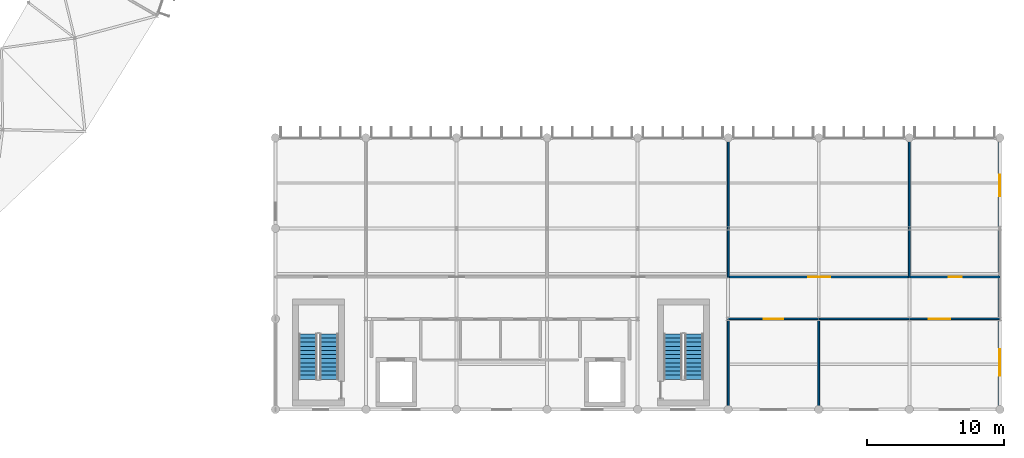
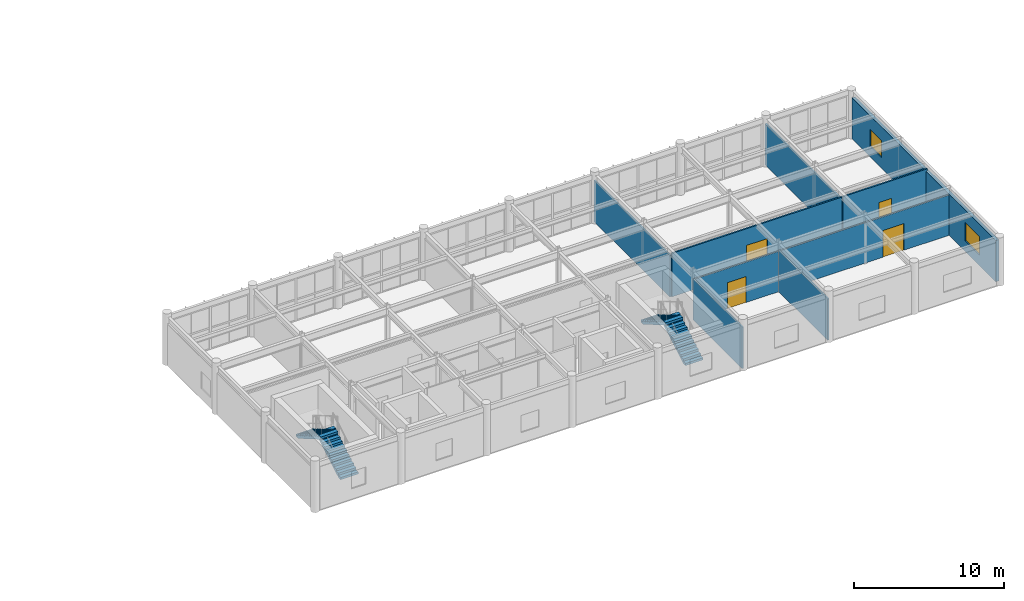
# One storey, part 60 of 66: 9 walls, 4 doors, 4 stair flights, 2 windows, 6 openings, 2 elements without a shape of their own.
"""IFC4 building model written with IfcOpenShell, lengths in metres."""

import ifcopenshell
import ifcopenshell.guid

model = None  # the IFC model being written
_history = None  # IfcOwnerHistory: only IFC2X3 demands one
_inside = {}  # id of a spatial element -> (the spatial element, [elements in it])
_under = {}  # id of a project, library or spatial element -> (it, [spatial elements below it])
_declared = {}  # id of a project -> (the project, [libraries it declares])
_typed = {}  # id of a type object -> (the type object, [elements of that type])
_made_of = {}  # id of a material, layer set ... -> (it, [elements and type objects made of it])


def new_model(schema):
    """Start an empty IFC model of exactly this schema.

    Asked for "IFC4X3", IfcOpenShell would pick the latest addendum, in which some entities
    have other attributes; the version numbers below select the first issue.
    IFC2X3 requires an IfcOwnerHistory on every rooted entity: one is made here for all.
    """
    global model, _history
    if schema == "IFC4X3":
        model = ifcopenshell.file(schema_version=(4, 3, 0, 0))
    else:
        model = ifcopenshell.file(schema=schema)
    _inside.clear()
    _under.clear()
    _declared.clear()
    _typed.clear()
    _made_of.clear()
    _history = None
    if model.schema == "IFC2X3":
        org = make("IfcOrganization", Name="unknown")
        user = make(
            "IfcPersonAndOrganization",
            ThePerson=make("IfcPerson", FamilyName="unknown"),
            TheOrganization=org,
        )
        app = make(
            "IfcApplication",
            ApplicationDeveloper=org,
            Version="unknown",
            ApplicationFullName="unknown",
            ApplicationIdentifier="unknown",
        )
        _history = make(
            "IfcOwnerHistory",
            OwningUser=user,
            OwningApplication=app,
            ChangeAction="ADDED",
            CreationDate=0,
        )
    return model


def make(cls, **values):
    """One entity of the class cls with the attributes given. An attribute that is None is left unset."""
    return model.create_entity(
        cls, **{name: value for name, value in values.items() if value is not None}
    )


def rooted(cls, **values):
    """An entity with a GlobalId (a new one), such as an element, a storey or a relation."""
    return make(cls, GlobalId=ifcopenshell.guid.new(), OwnerHistory=_history, **values)


def si_unit(unit_type, name, prefix=None):
    """IfcSIUnit, for example si_unit("LENGTHUNIT", "METRE", prefix="MILLI")."""
    return make("IfcSIUnit", UnitType=unit_type, Prefix=prefix, Name=name)


def assignment(units):
    """IfcUnitAssignment: the units of a project."""
    return None if units is None else make("IfcUnitAssignment", Units=units)


def point(xyz):
    """IfcCartesianPoint."""
    return None if xyz is None else make("IfcCartesianPoint", Coordinates=xyz)


def direction(xyz):
    """IfcDirection."""
    return None if xyz is None else make("IfcDirection", DirectionRatios=xyz)


def frame(location, z_axis=None, x_axis=None):
    """IfcAxis2Placement3D, a coordinate frame: its origin and axes. An axis left out is left unset."""
    return make(
        "IfcAxis2Placement3D",
        Location=point(location),
        Axis=direction(z_axis),
        RefDirection=direction(x_axis),
    )


def frame_2d(location, x_axis=None):
    """IfcAxis2Placement2D, a coordinate frame in the plane: its origin and x axis."""
    return make(
        "IfcAxis2Placement2D", Location=point(location), RefDirection=direction(x_axis)
    )


def origin():
    """The frame at (0, 0, 0) with its axes left unset."""
    return frame((0.0, 0.0, 0.0))


def place(relative_to, where):
    """IfcLocalPlacement: puts the frame where relative to a parent placement (None: the world)."""
    return make(
        "IfcLocalPlacement", PlacementRelTo=relative_to, RelativePlacement=where
    )


def context(
    kind, dimensions, precision=None, world=None, true_north=None, identifier=None
):
    """IfcGeometricRepresentationContext, for example the 3D "Model" context."""
    return make(
        "IfcGeometricRepresentationContext",
        ContextIdentifier=identifier,
        ContextType=kind,
        CoordinateSpaceDimension=dimensions,
        Precision=precision,
        WorldCoordinateSystem=world,
        TrueNorth=true_north,
    )


def subcontext(parent, identifier, kind, view, scale=None):
    """IfcGeometricRepresentationSubContext, for example "Body" below "Model"."""
    return make(
        "IfcGeometricRepresentationSubContext",
        ContextIdentifier=identifier,
        ContextType=kind,
        ParentContext=parent,
        TargetScale=scale,
        TargetView=view,
    )


def project(units=None, contexts=None):
    """IfcProject with its units and contexts."""
    return rooted(
        "IfcProject",
        Name="project",
        RepresentationContexts=contexts,
        UnitsInContext=assignment(units),
    )


def spatial(cls, under=None, at=None, **own):
    """A site, building, storey or space (cls), placed at a placement, below another one or the project."""
    s = rooted(cls, ObjectPlacement=at, **own)
    if under is not None:
        _under.setdefault(under.id(), (under, []))[1].append(s)
    return s


def polyline(points):
    """IfcPolyline through the points."""
    return make("IfcPolyline", Points=[point(p) for p in points])


def profile(cls, at=None, kind="AREA", **sizes):
    """A parametric profile (cls). Its sizes go by their IFC names, for example OverallWidth=200.0."""
    return make(cls, ProfileType=kind, Position=at, **sizes)


def rectangle(**sizes):
    """IfcRectangleProfileDef."""
    return profile("IfcRectangleProfileDef", **sizes)


def outline(outer, holes=None, kind="AREA"):
    """IfcArbitraryClosedProfileDef: a profile drawn as a closed curve; with holes, ...WithVoids."""
    if holes is None:
        return make("IfcArbitraryClosedProfileDef", ProfileType=kind, OuterCurve=outer)
    return make(
        "IfcArbitraryProfileDefWithVoids",
        ProfileType=kind,
        OuterCurve=outer,
        InnerCurves=holes,
    )


def extrude(swept, where, along, depth):
    """IfcExtrudedAreaSolid: the profile swept, set in the frame where, extruded along a direction by depth."""
    return make(
        "IfcExtrudedAreaSolid",
        SweptArea=swept,
        Position=where,
        ExtrudedDirection=direction(along),
        Depth=depth,
    )


def shape(context_of_items, identifier, shape_type, items):
    """IfcShapeRepresentation: the items that make up one representation, for example the "Body"."""
    return make(
        "IfcShapeRepresentation",
        ContextOfItems=context_of_items,
        RepresentationIdentifier=identifier,
        RepresentationType=shape_type,
        Items=items,
    )


def material(Name=None, Category=None):
    """IfcMaterial."""
    return make("IfcMaterial", Name=Name, Category=Category)


def layer(
    of_material, thickness, ventilated=None, Name=None, Category=None, Priority=None
):
    """IfcMaterialLayer: one layer of a wall or slab, of a material (None: an air gap)."""
    return make(
        "IfcMaterialLayer",
        Material=of_material,
        LayerThickness=thickness,
        IsVentilated=ventilated,
        Name=Name,
        Category=Category,
        Priority=Priority,
    )


def layer_set(layers, Name=None):
    """IfcMaterialLayerSet."""
    return make("IfcMaterialLayerSet", MaterialLayers=layers, LayerSetName=Name)


def made_of(thing, what):
    """Note that an element or type object is made of a material, layer set ...; save() writes the relation."""
    if what is not None:
        _made_of.setdefault(what.id(), (what, []))[1].append(thing)
    return thing


def type_object(cls, material=None, **own):
    """A type object (cls), such as IfcWallType, which elements share."""
    return made_of(rooted(cls, **own), material)


def element(
    cls,
    number,
    at=None,
    inside=None,
    cuts=None,
    type_object=None,
    material=None,
    context=None,
    identifier="Body",
    shape_type=None,
    held_by="IfcProductDefinitionShape",
    body=None,
    shapes=None,
    **own,
):
    """One element of the class cls, such as IfcWall. Its Tag is "e" and its number.

    at: its placement. inside: the storey or other place that contains it. cuts: it is an
    opening in that element (IfcRelVoidsElement). A single representation is given by context,
    identifier, shape_type and body (its items); several are given by shapes. held_by: the class
    of the entity that holds the representations. save() writes the other relations.
    """
    e = rooted(cls, Tag="e%d" % number, ObjectPlacement=at, **own)
    if body is not None:
        shapes = [shape(context, identifier, shape_type, body)]
    if shapes is not None:
        e.Representation = make(held_by, Representations=shapes)
    if inside is not None:
        _inside.setdefault(inside.id(), (inside, []))[1].append(e)
    if cuts is not None:
        rooted(
            "IfcRelVoidsElement", RelatingBuildingElement=cuts, RelatedOpeningElement=e
        )
    if type_object is not None:
        _typed.setdefault(type_object.id(), (type_object, []))[1].append(e)
    return made_of(e, material)


def fill(opening, filler):
    """IfcRelFillsElement: the door or window that sits in an opening."""
    return rooted(
        "IfcRelFillsElement",
        RelatingOpeningElement=opening,
        RelatedBuildingElement=filler,
    )


def aggregate(whole, parts):
    """IfcRelAggregates: a whole, such as a stair, and the parts it consists of."""
    return rooted("IfcRelAggregates", RelatingObject=whole, RelatedObjects=parts)


def save(model, path):
    """Write the relations noted so far, then the file.

    IfcRelAggregates (storeys below a building ...), IfcRelContainedInSpatialStructure (elements
    in a storey), IfcRelDefinesByType, IfcRelAssociatesMaterial and IfcRelDeclares: one each for
    every whole, place, type object, material and project.
    """
    for whole, parts in _under.values():
        aggregate(whole, parts)
    for where, things in _inside.values():
        rooted(
            "IfcRelContainedInSpatialStructure",
            RelatedElements=things,
            RelatingStructure=where,
        )
    for kind, things in _typed.values():
        rooted("IfcRelDefinesByType", RelatedObjects=things, RelatingType=kind)
    for what, things in _made_of.values():
        rooted("IfcRelAssociatesMaterial", RelatedObjects=things, RelatingMaterial=what)
    for by, libraries in _declared.values():
        rooted("IfcRelDeclares", RelatingContext=by, RelatedDefinitions=libraries)
    model.write(path)


model = new_model("IFC4")

# Units and contexts
model_context = context("Model", 3, precision=1e-05, world=origin(), true_north=direction((0.0, 1.0)))
body_context = subcontext(model_context, "Body", "Model", "MODEL_VIEW")
ifc_project = project(units=[si_unit("LENGTHUNIT", "METRE"), si_unit("AREAUNIT", "SQUARE_METRE"), si_unit("VOLUMEUNIT", "CUBIC_METRE"), si_unit("PLANEANGLEUNIT", "RADIAN"), si_unit("MASSUNIT", "GRAM", prefix="KILO")], contexts=[model_context])

# Site, building, storey
site_placement = place(None, origin())
site = spatial("IfcSite", under=ifc_project, at=site_placement, CompositionType="ELEMENT")
building_placement = place(site_placement, origin())
building = spatial("IfcBuilding", under=site, at=building_placement, Name="Karori Crest Natural Sciences Institute", CompositionType="ELEMENT")
storey_placement = place(building_placement, frame((0.0, 0.0, 30.10009765625)))
storey = spatial("IfcBuildingStorey", under=building, at=storey_placement, Name="L07", CompositionType="ELEMENT", Elevation=30.10009765625)

# Wall, opening, door
ifc_material_1 = material(Name="Write-up office acoustic partition")
ifc_layer_1 = layer(ifc_material_1, 0.1201171875, Name="Write-up office acoustic partition")
ifc_layer_set_1 = layer_set([ifc_layer_1], Name="Write-up office acoustic partition")
wall_type_1 = type_object("IfcWallType", Name="IWT-08", PredefinedType="PARTITIONING", material=ifc_layer_set_1)
wall_1_placement = place(storey_placement, frame((136.60009765625, 7.39990234375, 0.0), z_axis=(0.0, 0.0, 1.0), x_axis=(1.0, 0.0, 0.0)))
wall_1 = element("IfcWall", 1, at=wall_1_placement, inside=storey, type_object=wall_type_1, Name="Partition wall IW-0797", PredefinedType="PARTITIONING", context=body_context, shape_type="SweptSolid", body=[
    extrude(rectangle(XDim=6.599853515625, YDim=0.1201171875, at=frame_2d((3.2998046875, 0.0))), origin(), (0.0, 0.0, 1.0), 3.29296875),
])
opening_1_placement = place(wall_1_placement, frame((2.574951171875, 0.0, 0.0)))
opening_1 = element("IfcOpeningElement", 2, at=opening_1_placement, cuts=wall_1, Name="Opening ID-0180", PredefinedType="OPENING", context=body_context, shape_type="SweptSolid", body=[
    extrude(rectangle(XDim=1.449951171875, YDim=2.1201171875, at=frame_2d((0.72509765625, 1.06005859375))), frame((0.0, 0.070068359375, 0.0), z_axis=(0.0, -1.0, 0.0), x_axis=(1.0, 0.0, 0.0)), (0.0, 0.0, 1.0), 0.14013671875),
])
ifc_material_2 = material(Name="Anodised aluminium and acoustic timber", Category="wood")
door_type_1 = type_object("IfcDoorType", Name="IDT-11", OperationType="DOUBLE_DOOR_SINGLE_SWING", PredefinedType="DOOR", material=ifc_material_2)
door_1_placement = place(opening_1_placement, origin())
door_1 = element("IfcDoor", 3, at=door_1_placement, inside=storey, type_object=door_type_1, Name="Seminar Room door ID-0180", OperationType="DOUBLE_DOOR_SINGLE_SWING", OverallHeight=2.1201171875, OverallWidth=1.449951171875, PredefinedType="DOOR", context=body_context, shape_type="SweptSolid", body=[
    extrude(rectangle(XDim=1.449951171875, YDim=2.1201171875, at=frame_2d((0.72509765625, 1.06005859375))), frame((0.0, 0.02490234375, 0.0), z_axis=(0.0, -1.0, 0.0), x_axis=(1.0, 0.0, 0.0)), (0.0, 0.0, 1.0), 0.050048828125),
])
fill(opening_1, door_1)

# Walls
wall_2_placement = place(storey_placement, frame((136.60009765625, 0.800048828125, 0.0), z_axis=(0.0, 0.0, 1.0), x_axis=(0.0, 1.0, 0.0)))
element("IfcWall", 4, at=wall_2_placement, inside=storey, type_object=wall_type_1, Name="Partition wall IW-0798", PredefinedType="PARTITIONING", context=body_context, shape_type="SweptSolid", body=[
    extrude(rectangle(XDim=6.537841796875, YDim=0.1201171875, at=frame_2d((3.26904296875, 0.0))), origin(), (0.0, 0.0, 1.0), 3.371826171875),
])
wall_3_placement = place(storey_placement, frame((143.199951171875, 0.800048828125, 0.0), z_axis=(0.0, 0.0, 1.0), x_axis=(0.0, 1.0, 0.0)))
element("IfcWall", 5, at=wall_3_placement, inside=storey, type_object=wall_type_1, Name="Partition wall IW-0799", PredefinedType="PARTITIONING", context=body_context, shape_type="SweptSolid", body=[
    extrude(rectangle(XDim=6.599853515625, YDim=0.1201171875, at=frame_2d((3.2998046875, 0.0))), origin(), (0.0, 0.0, 1.0), 3.371826171875),
])

# Wall, opening, door
wall_4_placement = place(storey_placement, frame((143.201904296875, 7.39990234375, 0.0), z_axis=(0.0, 0.0, 1.0), x_axis=(1.0, 0.0, 0.0)))
wall_4 = element("IfcWall", 6, at=wall_4_placement, inside=storey, type_object=wall_type_1, Name="Partition wall IW-0800", PredefinedType="PARTITIONING", context=body_context, shape_type="SweptSolid", body=[
    extrude(rectangle(XDim=13.197998046875, YDim=0.1201171875, at=frame_2d((6.59912109375, 0.0))), origin(), (0.0, 0.0, 1.0), 3.29296875),
])
opening_2_placement = place(wall_4_placement, frame((7.9990234375, 0.0, 0.0)))
opening_2 = element("IfcOpeningElement", 7, at=opening_2_placement, cuts=wall_4, Name="Opening ID-0181", PredefinedType="OPENING", context=body_context, shape_type="SweptSolid", body=[
    extrude(rectangle(XDim=1.60009765625, YDim=2.179931640625, at=frame_2d((0.800048828125, 1.08984375))), frame((0.0, 0.070068359375, 0.0), z_axis=(0.0, -1.0, 0.0), x_axis=(1.0, 0.0, 0.0)), (0.0, 0.0, 1.0), 0.14013671875),
])
door_type_2 = type_object("IfcDoorType", Name="IDT-13", OperationType="DOUBLE_DOOR_SINGLE_SWING", PredefinedType="DOOR", material=ifc_material_2)
door_2_placement = place(opening_2_placement, origin())
door_2 = element("IfcDoor", 8, at=door_2_placement, inside=storey, type_object=door_type_2, Name="Colloquium Suite door ID-0181", OperationType="DOUBLE_DOOR_SINGLE_SWING", OverallHeight=2.179931640625, OverallWidth=1.60009765625, PredefinedType="DOOR", context=body_context, shape_type="SweptSolid", body=[
    extrude(rectangle(XDim=1.60009765625, YDim=2.179931640625, at=frame_2d((0.800048828125, 1.08984375))), frame((0.0, 0.02490234375, 0.0), z_axis=(0.0, -1.0, 0.0), x_axis=(1.0, 0.0, 0.0)), (0.0, 0.0, 1.0), 0.050048828125),
])
fill(opening_2, door_2)

# Wall
wall_5_placement = place(storey_placement, frame((136.60009765625, 10.449951171875, 0.0), z_axis=(0.0, 0.0, 1.0), x_axis=(0.0, 1.0, 0.0)))
element("IfcWall", 9, at=wall_5_placement, inside=storey, type_object=wall_type_1, Name="Partition wall IW-0806", PredefinedType="PARTITIONING", context=body_context, shape_type="SweptSolid", body=[
    extrude(rectangle(XDim=10.150146484375, YDim=0.1201171875, at=frame_2d((5.0751953125, 0.0))), origin(), (0.0, 0.0, 1.0), 3.371826171875),
])

# Wall, opening, door
wall_6_placement = place(storey_placement, frame((136.662109375, 10.449951171875, 0.0), z_axis=(0.0, 0.0, 1.0), x_axis=(1.0, 0.0, 0.0)))
wall_6 = element("IfcWall", 10, at=wall_6_placement, inside=storey, type_object=wall_type_1, Name="Partition wall IW-0807", PredefinedType="PARTITIONING", context=body_context, shape_type="SweptSolid", body=[
    extrude(rectangle(XDim=13.137939453125, YDim=0.1201171875, at=frame_2d((6.56884765625, 0.0))), origin(), (0.0, 0.0, 1.0), 3.5458984375),
])
opening_3_placement = place(wall_6_placement, frame((5.76904296875, 0.0, 0.0)))
opening_3 = element("IfcOpeningElement", 11, at=opening_3_placement, cuts=wall_6, Name="Opening ID-0185", PredefinedType="OPENING", context=body_context, shape_type="SweptSolid", body=[
    extrude(rectangle(XDim=1.60009765625, YDim=2.179931640625, at=frame_2d((0.800048828125, 1.08984375))), frame((0.0, 0.070068359375, 0.0), z_axis=(0.0, -1.0, 0.0), x_axis=(1.0, 0.0, 0.0)), (0.0, 0.0, 1.0), 0.14013671875),
])
door_3_placement = place(opening_3_placement, origin())
door_3 = element("IfcDoor", 12, at=door_3_placement, inside=storey, type_object=door_type_2, Name="Research Colloquium Room door ID-0185", OperationType="DOUBLE_DOOR_SINGLE_SWING", OverallHeight=2.179931640625, OverallWidth=1.60009765625, PredefinedType="DOOR", context=body_context, shape_type="SweptSolid", body=[
    extrude(rectangle(XDim=1.60009765625, YDim=2.179931640625, at=frame_2d((0.800048828125, 1.08984375))), frame((0.0, 0.02490234375, 0.0), z_axis=(0.0, -1.0, 0.0), x_axis=(1.0, 0.0, 0.0)), (0.0, 0.0, 1.0), 0.050048828125),
])
fill(opening_3, door_3)

# Wall
wall_7_placement = place(storey_placement, frame((149.800048828125, 10.449951171875, 0.0), z_axis=(0.0, 0.0, 1.0), x_axis=(0.0, 1.0, 0.0)))
element("IfcWall", 13, at=wall_7_placement, inside=storey, type_object=wall_type_1, Name="Partition wall IW-0808", PredefinedType="PARTITIONING", context=body_context, shape_type="SweptSolid", body=[
    extrude(rectangle(XDim=10.150146484375, YDim=0.1201171875, at=frame_2d((5.0751953125, 0.0))), origin(), (0.0, 0.0, 1.0), 3.371826171875),
])

# Wall, opening, door
wall_8_placement = place(storey_placement, frame((149.862060546875, 10.449951171875, 0.0), z_axis=(0.0, 0.0, 1.0), x_axis=(1.0, 0.0, 0.0)))
wall_8 = element("IfcWall", 14, at=wall_8_placement, inside=storey, type_object=wall_type_1, Name="Partition wall IW-0809", PredefinedType="PARTITIONING", context=body_context, shape_type="SweptSolid", body=[
    extrude(rectangle(XDim=6.537841796875, YDim=0.1201171875, at=frame_2d((3.26904296875, 0.0))), origin(), (0.0, 0.0, 1.0), 3.5458984375),
])
opening_4_placement = place(wall_8_placement, frame((2.7939453125, 0.0, 0.0)))
opening_4 = element("IfcOpeningElement", 15, at=opening_4_placement, cuts=wall_8, Name="Opening ID-0186", PredefinedType="OPENING", context=body_context, shape_type="SweptSolid", body=[
    extrude(rectangle(XDim=0.949951171875, YDim=2.10009765625, at=frame_2d((0.47509765625, 1.050048828125))), frame((0.0, 0.070068359375, 0.0), z_axis=(0.0, -1.0, 0.0), x_axis=(1.0, 0.0, 0.0)), (0.0, 0.0, 1.0), 0.14013671875),
])
door_type_3 = type_object("IfcDoorType", Name="IDT-08", OperationType="NOTDEFINED", PredefinedType="DOOR", material=ifc_material_2)
door_4_placement = place(opening_4_placement, origin())
door_4 = element("IfcDoor", 16, at=door_4_placement, inside=storey, type_object=door_type_3, Name="Collaborative Write-Up Suite door ID-0186", OperationType="SINGLE_SWING_RIGHT", OverallHeight=2.10009765625, OverallWidth=0.949951171875, PredefinedType="DOOR", context=body_context, shape_type="SweptSolid", body=[
    extrude(rectangle(XDim=0.949951171875, YDim=2.10009765625, at=frame_2d((0.47509765625, 1.050048828125))), frame((0.0, 0.02490234375, 0.0), z_axis=(0.0, -1.0, 0.0), x_axis=(1.0, 0.0, 0.0)), (0.0, 0.0, 1.0), 0.050048828125),
])
fill(opening_4, door_4)

# Wall, openings, windows
ifc_material_3 = material(Name="Precast concrete 40 MPa", Category="concrete")
ifc_layer_2 = layer(ifc_material_3, 0.239990234375, Name="Precast concrete 40 MPa")
ifc_layer_set_2 = layer_set([ifc_layer_2], Name="Precast concrete 40 MPa")
wall_type_2 = type_object("IfcWallType", Name="WT-04", PredefinedType="SOLIDWALL", material=ifc_layer_set_2)
wall_9_placement = place(storey_placement, frame((156.39990234375, 20.302001953125, 0.0), z_axis=(0.0, 0.0, 1.0), x_axis=(0.0, -1.0, 0.0)))
wall_9 = element("IfcWall", 17, at=wall_9_placement, inside=storey, type_object=wall_type_2, Name="Exterior wall EW-0216", PredefinedType="SOLIDWALL", context=body_context, shape_type="SweptSolid", body=[
    extrude(rectangle(XDim=19.2041015625, YDim=0.239990234375, at=frame_2d((9.60205078125, 0.0))), origin(), (0.0, 0.0, 1.0), 3.371826171875),
])
opening_5_placement = place(wall_9_placement, frame((2.39990234375, 0.0, 0.85009765625)))
opening_5 = element("IfcOpeningElement", 18, at=opening_5_placement, cuts=wall_9, Name="Opening WN-0203", PredefinedType="OPENING", context=body_context, shape_type="SweptSolid", body=[
    extrude(rectangle(XDim=1.550048828125, YDim=1.39990234375, at=frame_2d((0.77490234375, 0.699951171875))), frame((0.0, 0.1298828125, 0.0), z_axis=(0.0, -1.0, 0.0), x_axis=(1.0, 0.0, 0.0)), (0.0, 0.0, 1.0), 0.260009765625),
])
opening_6_placement = place(wall_9_placement, frame((15.10009765625, 0.0, 0.85009765625)))
opening_6 = element("IfcOpeningElement", 19, at=opening_6_placement, cuts=wall_9, Name="Opening WN-0204", PredefinedType="OPENING", context=body_context, shape_type="SweptSolid", body=[
    extrude(rectangle(XDim=1.949951171875, YDim=1.5, at=frame_2d((0.97509765625, 0.75))), frame((0.0, 0.1298828125, 0.0), z_axis=(0.0, -1.0, 0.0), x_axis=(1.0, 0.0, 0.0)), (0.0, 0.0, 1.0), 0.260009765625),
])
ifc_material_4 = material(Name="Double low-E laminated glass", Category="glass")
window_type_1 = type_object("IfcWindowType", Name="WNT-04", PartitioningType="SINGLE_PANEL", PredefinedType="WINDOW", material=ifc_material_4)
window_1_placement = place(opening_5_placement, origin())
window_1 = element("IfcWindow", 20, at=window_1_placement, inside=storey, type_object=window_type_1, Name="Window WN-0203", OverallHeight=1.39990234375, OverallWidth=1.550048828125, PartitioningType="SINGLE_PANEL", PredefinedType="WINDOW", context=body_context, shape_type="SweptSolid", body=[
    extrude(rectangle(XDim=1.550048828125, YDim=1.39990234375, at=frame_2d((0.77490234375, 0.699951171875))), frame((0.0, 0.030029296875, 0.0), z_axis=(0.0, -1.0, 0.0), x_axis=(1.0, 0.0, 0.0)), (0.0, 0.0, 1.0), 0.06005859375),
])
fill(opening_5, window_1)
window_type_2 = type_object("IfcWindowType", Name="WNT-21", PartitioningType="SINGLE_PANEL", PredefinedType="WINDOW", material=ifc_material_4)
window_2_placement = place(opening_6_placement, origin())
window_2 = element("IfcWindow", 21, at=window_2_placement, inside=storey, type_object=window_type_2, Name="Window WN-0204", OverallHeight=1.5, OverallWidth=1.949951171875, PartitioningType="SINGLE_PANEL", PredefinedType="WINDOW", context=body_context, shape_type="SweptSolid", body=[
    extrude(rectangle(XDim=1.949951171875, YDim=1.5, at=frame_2d((0.97509765625, 0.75))), frame((0.0, 0.030029296875, 0.0), z_axis=(0.0, -1.0, 0.0), x_axis=(1.0, 0.0, 0.0)), (0.0, 0.0, 1.0), 0.06005859375),
])
fill(opening_6, window_2)

# Stair, stair flights
ifc_material_5 = material(Name="Concrete 40 MPa", Category="concrete")
stair_type = type_object("IfcStairType", Name="STT-01", PredefinedType="HALF_TURN_STAIR", material=ifc_material_5)
stair_1_placement = place(storey_placement, origin())
stair_1 = element("IfcStair", 22, at=stair_1_placement, inside=storey, type_object=stair_type, Name="Protected stair ST-03-L07", PredefinedType="HALF_TURN_STAIR")
stair_flight_type = type_object("IfcStairFlightType", Name="SFT-01", PredefinedType="STRAIGHT", material=ifc_material_5)
stair_flight_1_placement = place(storey_placement, frame((107.52490234375, 3.0, 0.0), z_axis=(0.0, 0.0, 1.0), x_axis=(0.0, 1.0, 0.0)))
stair_flight_1 = element("IfcStairFlight", 23, at=stair_flight_1_placement, type_object=stair_flight_type, Name="ST-03-L07 flight 1", NumberOfRisers=12, NumberOfTreads=11, PredefinedType="STRAIGHT", RiserHeight=0.175, TreadLength=0.3, context=body_context, shape_type="SweptSolid", body=[
    extrude(outline(polyline([(0.0, 0.0), (0.0, 0.175048828125), (0.300048828125, 0.175048828125), (0.300048828125, 0.35009765625), (0.60009765625, 0.35009765625), (0.60009765625, 0.52490234375), (0.89990234375, 0.52490234375), (0.89990234375, 0.699951171875), (1.199951171875, 0.699951171875), (1.199951171875, 0.875), (1.5, 0.875), (1.5, 1.050048828125), (1.800048828125, 1.050048828125), (1.800048828125, 1.22509765625), (2.10009765625, 1.22509765625), (2.10009765625, 1.39990234375), (2.39990234375, 1.39990234375), (2.39990234375, 1.574951171875), (2.699951171875, 1.574951171875), (2.699951171875, 1.75), (3.0, 1.75), (3.0, 1.925048828125), (3.300048828125, 1.925048828125), (3.300048828125, 2.10009765625), (3.300048828125, 1.739990234375), (0.3173828125, 0.0), (0.0, 0.0)])), frame((0.0, 0.675048828125, 0.0), z_axis=(0.0, -1.0, 0.0), x_axis=(1.0, 0.0, 0.0)), (0.0, 0.0, 1.0), 1.35009765625),
])
stair_flight_2_placement = place(storey_placement, frame((105.97509765625, 6.300048828125, 2.099853515625), z_axis=(0.0, 0.0, 1.0), x_axis=(0.0, -1.0, 0.0)))
stair_flight_2 = element("IfcStairFlight", 24, at=stair_flight_2_placement, type_object=stair_flight_type, Name="ST-03-L07 flight 2", NumberOfRisers=12, NumberOfTreads=11, PredefinedType="STRAIGHT", RiserHeight=0.175, TreadLength=0.3, context=body_context, shape_type="SweptSolid", body=[
    extrude(outline(polyline([(0.0, 0.0), (0.0, 0.175048828125), (0.300048828125, 0.175048828125), (0.300048828125, 0.35009765625), (0.60009765625, 0.35009765625), (0.60009765625, 0.52490234375), (0.89990234375, 0.52490234375), (0.89990234375, 0.699951171875), (1.199951171875, 0.699951171875), (1.199951171875, 0.875), (1.5, 0.875), (1.5, 1.050048828125), (1.800048828125, 1.050048828125), (1.800048828125, 1.22509765625), (2.10009765625, 1.22509765625), (2.10009765625, 1.39990234375), (2.39990234375, 1.39990234375), (2.39990234375, 1.574951171875), (2.699951171875, 1.574951171875), (2.699951171875, 1.75), (3.0, 1.75), (3.0, 1.925048828125), (3.300048828125, 1.925048828125), (3.300048828125, 2.10009765625), (3.300048828125, 1.739990234375), (0.3173828125, 0.0), (0.0, 0.0)])), frame((0.0, 0.675048828125, 0.0), z_axis=(0.0, -1.0, 0.0), x_axis=(1.0, 0.0, 0.0)), (0.0, 0.0, 1.0), 1.35009765625),
])
aggregate(stair_1, [stair_flight_1, stair_flight_2])

stair_2_placement = place(storey_placement, origin())
stair_2 = element("IfcStair", 25, at=stair_2_placement, inside=storey, type_object=stair_type, Name="Protected stair ST-04-L07", PredefinedType="HALF_TURN_STAIR")
stair_flight_3_placement = place(storey_placement, frame((134.125, 3.0, 0.0), z_axis=(0.0, 0.0, 1.0), x_axis=(0.0, 1.0, 0.0)))
stair_flight_3 = element("IfcStairFlight", 26, at=stair_flight_3_placement, type_object=stair_flight_type, Name="ST-04-L07 flight 1", NumberOfRisers=12, NumberOfTreads=11, PredefinedType="STRAIGHT", RiserHeight=0.175, TreadLength=0.3, context=body_context, shape_type="SweptSolid", body=[
    extrude(outline(polyline([(0.0, 0.0), (0.0, 0.175048828125), (0.300048828125, 0.175048828125), (0.300048828125, 0.35009765625), (0.60009765625, 0.35009765625), (0.60009765625, 0.52490234375), (0.89990234375, 0.52490234375), (0.89990234375, 0.699951171875), (1.199951171875, 0.699951171875), (1.199951171875, 0.875), (1.5, 0.875), (1.5, 1.050048828125), (1.800048828125, 1.050048828125), (1.800048828125, 1.22509765625), (2.10009765625, 1.22509765625), (2.10009765625, 1.39990234375), (2.39990234375, 1.39990234375), (2.39990234375, 1.574951171875), (2.699951171875, 1.574951171875), (2.699951171875, 1.75), (3.0, 1.75), (3.0, 1.925048828125), (3.300048828125, 1.925048828125), (3.300048828125, 2.10009765625), (3.300048828125, 1.739990234375), (0.3173828125, 0.0), (0.0, 0.0)])), frame((0.0, 0.675048828125, 0.0), z_axis=(0.0, -1.0, 0.0), x_axis=(1.0, 0.0, 0.0)), (0.0, 0.0, 1.0), 1.35009765625),
])
stair_flight_4_placement = place(storey_placement, frame((132.574951171875, 6.300048828125, 2.099853515625), z_axis=(0.0, 0.0, 1.0), x_axis=(0.0, -1.0, 0.0)))
stair_flight_4 = element("IfcStairFlight", 27, at=stair_flight_4_placement, type_object=stair_flight_type, Name="ST-04-L07 flight 2", NumberOfRisers=12, NumberOfTreads=11, PredefinedType="STRAIGHT", RiserHeight=0.175, TreadLength=0.3, context=body_context, shape_type="SweptSolid", body=[
    extrude(outline(polyline([(0.0, 0.0), (0.0, 0.175048828125), (0.300048828125, 0.175048828125), (0.300048828125, 0.35009765625), (0.60009765625, 0.35009765625), (0.60009765625, 0.52490234375), (0.89990234375, 0.52490234375), (0.89990234375, 0.699951171875), (1.199951171875, 0.699951171875), (1.199951171875, 0.875), (1.5, 0.875), (1.5, 1.050048828125), (1.800048828125, 1.050048828125), (1.800048828125, 1.22509765625), (2.10009765625, 1.22509765625), (2.10009765625, 1.39990234375), (2.39990234375, 1.39990234375), (2.39990234375, 1.574951171875), (2.699951171875, 1.574951171875), (2.699951171875, 1.75), (3.0, 1.75), (3.0, 1.925048828125), (3.300048828125, 1.925048828125), (3.300048828125, 2.10009765625), (3.300048828125, 1.739990234375), (0.3173828125, 0.0), (0.0, 0.0)])), frame((0.0, 0.675048828125, 0.0), z_axis=(0.0, -1.0, 0.0), x_axis=(1.0, 0.0, 0.0)), (0.0, 0.0, 1.0), 1.35009765625),
])
aggregate(stair_2, [stair_flight_3, stair_flight_4])

save(model, "model.ifc")
